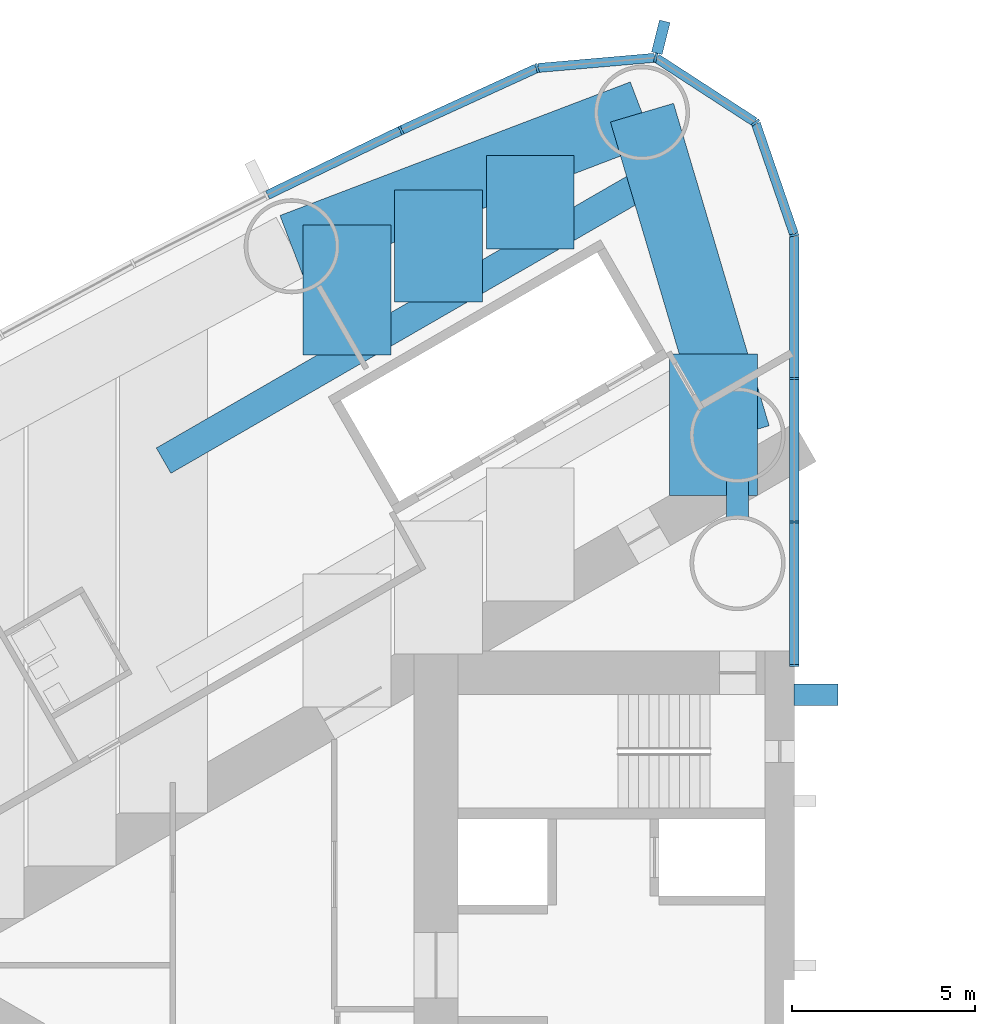
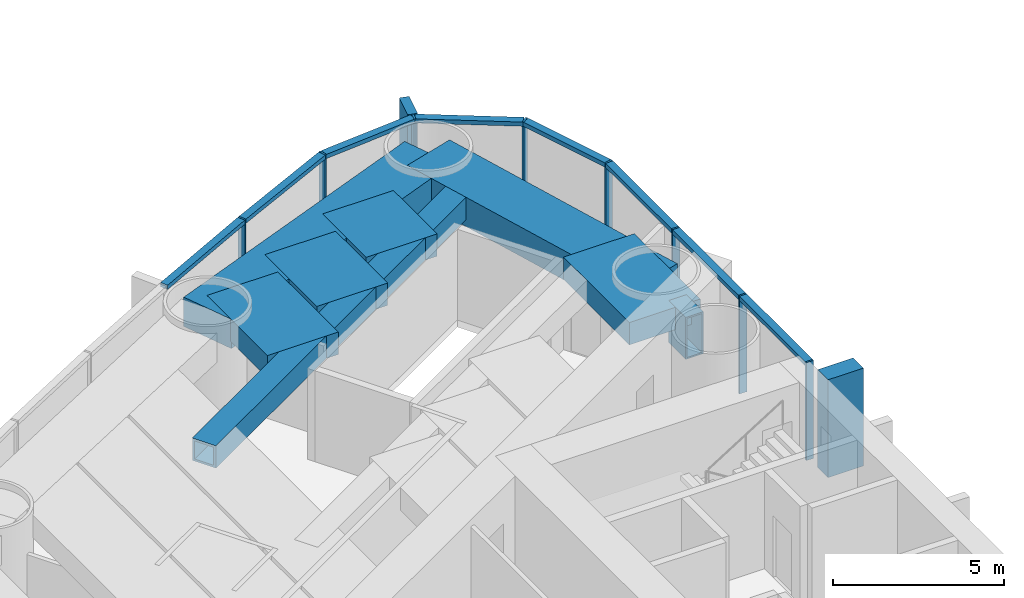
# One storey, part 5 of 18: 18 members, 8 beams, 1 element without a shape of its own.
"""IFC4 building model written with IfcOpenShell, lengths in metres."""

from ifc_helpers import new_model, si_unit, direction, frame, origin, origin_2d, place, context, subcontext, project, spatial, rectangle, hollow_rectangle, extrude, material, material_profile, profile_set, type_object, element, aggregate, save


model = new_model("IFC4")

# Units and contexts
model_context = context("Model", 3, precision=1e-05, world=origin(), true_north=direction((0.0, 1.0)))
body_context = subcontext(model_context, "Body", "Model", "MODEL_VIEW")
ifc_project = project(units=[si_unit("LENGTHUNIT", "METRE"), si_unit("AREAUNIT", "SQUARE_METRE"), si_unit("VOLUMEUNIT", "CUBIC_METRE"), si_unit("PLANEANGLEUNIT", "RADIAN"), si_unit("MASSUNIT", "GRAM", prefix="KILO")], contexts=[model_context])

# Site, building, storey
site_placement = place(None, origin())
site = spatial("IfcSite", under=ifc_project, at=site_placement, CompositionType="ELEMENT")
building_placement = place(site_placement, origin())
building = spatial("IfcBuilding", under=site, at=building_placement, Name="Lancet Gate Hotel", CompositionType="ELEMENT")
storey_placement = place(building_placement, frame((0.0, 0.0, 97.60009765625)))
storey = spatial("IfcBuildingStorey", under=building, at=storey_placement, Name="L25", CompositionType="ELEMENT", Elevation=97.60009765625)

# Curtain wall, members
ifc_material_1 = material(Name="Aluminium curtain wall", Category="aluminium")
curtain_wall_type = type_object("IfcCurtainWallType", Name="Tower unitised curtain wall", PredefinedType="USERDEFINED", material=ifc_material_1)
curtain_wall_placement = place(storey_placement, origin())
curtain_wall = element("IfcCurtainWall", 1, at=curtain_wall_placement, inside=storey, type_object=curtain_wall_type, Name="T1 L25 curtain wall 1", ObjectType="UNITISED CURTAIN WALL", PredefinedType="USERDEFINED")
ifc_material_2 = material(Name="Aluminium mullion", Category="aluminium")
ifc_material_profile_1 = material_profile(ifc_material_2, rectangle(XDim=0.06494140625, YDim=0.25, at=origin_2d()), Name="MULLION 65x250")
ifc_profile_set_1 = profile_set([ifc_material_profile_1], Name="Aluminium mullion")
member_type_1 = type_object("IfcMemberType", Name="Aluminium mullion 65x250", PredefinedType="MULLION", material=ifc_profile_set_1)
member_1_placement = place(storey_placement, frame((-27.5, 8.199951171875, 0.0), z_axis=(0.0, 0.0, 1.0), x_axis=(0.0, 1.0, 0.0)))
member_1 = element("IfcMember", 2, at=member_1_placement, type_object=member_type_1, Name="T1 L25 curtain wall 1 mullion 1", PredefinedType="MULLION", context=body_context, shape_type="SweptSolid", body=[
    extrude(rectangle(XDim=0.06494140625, YDim=0.25, at=origin_2d()), origin(), (0.0, 0.0, 1.0), 3.5),
])
member_2_placement = place(storey_placement, frame((-27.5, 12.123779296875, 0.0), z_axis=(0.0, 0.0, 1.0), x_axis=(0.0, 1.0, 0.0)))
member_2 = element("IfcMember", 3, at=member_2_placement, type_object=member_type_1, Name="T1 L25 curtain wall 1 mullion 2", PredefinedType="MULLION", context=body_context, shape_type="SweptSolid", body=[
    extrude(rectangle(XDim=0.06494140625, YDim=0.25, at=origin_2d()), origin(), (0.0, 0.0, 1.0), 3.5),
])
member_3_placement = place(storey_placement, frame((-27.5, 16.04736328125, 0.0), z_axis=(0.0, 0.0, 1.0), x_axis=(0.0, 1.0, 0.0)))
member_3 = element("IfcMember", 4, at=member_3_placement, type_object=member_type_1, Name="T1 L25 curtain wall 1 mullion 3", PredefinedType="MULLION", context=body_context, shape_type="SweptSolid", body=[
    extrude(rectangle(XDim=0.06494140625, YDim=0.25, at=origin_2d()), origin(), (0.0, 0.0, 1.0), 3.5),
])
member_4_placement = place(storey_placement, frame((-27.5, 19.97119140625, 0.0), z_axis=(0.0, 0.0, 1.0), x_axis=(-0.149634446211, 0.988741388082, 0.0)))
member_4 = element("IfcMember", 5, at=member_4_placement, type_object=member_type_1, Name="T1 L25 curtain wall 1 mullion 4", PredefinedType="MULLION", context=body_context, shape_type="SweptSolid", body=[
    extrude(rectangle(XDim=0.06494140625, YDim=0.25, at=origin_2d()), origin(), (0.0, 0.0, 1.0), 3.5),
])
member_5_placement = place(storey_placement, frame((-28.5595703125, 23.049072265625, 0.0), z_axis=(0.0, 0.0, 1.0), x_axis=(-0.615574240878, 0.788078900851, 0.0)))
member_5 = element("IfcMember", 6, at=member_5_placement, type_object=member_type_1, Name="T1 L25 curtain wall 1 mullion 5", PredefinedType="MULLION", context=body_context, shape_type="SweptSolid", body=[
    extrude(rectangle(XDim=0.06494140625, YDim=0.25, at=origin_2d()), origin(), (0.0, 0.0, 1.0), 3.5),
])
member_6_placement = place(storey_placement, frame((-31.289306640625, 24.822265625, 0.0), z_axis=(0.0, 0.0, 1.0), x_axis=(-0.970242142288, 0.242136707934, 0.0)))
member_6 = element("IfcMember", 7, at=member_6_placement, type_object=member_type_1, Name="T1 L25 curtain wall 1 mullion 6", PredefinedType="MULLION", context=body_context, shape_type="SweptSolid", body=[
    extrude(rectangle(XDim=0.06494140625, YDim=0.25, at=origin_2d()), origin(), (0.0, 0.0, 1.0), 3.5),
])
member_7_placement = place(storey_placement, frame((-34.5322265625, 24.53955078125, 0.0), z_axis=(0.0, 0.0, 1.0), x_axis=(-0.961653318232, -0.27426792655, 0.0)))
member_7 = element("IfcMember", 8, at=member_7_placement, type_object=member_type_1, Name="T1 L25 curtain wall 1 mullion 7", PredefinedType="MULLION", context=body_context, shape_type="SweptSolid", body=[
    extrude(rectangle(XDim=0.06494140625, YDim=0.25, at=origin_2d()), origin(), (0.0, 0.0, 1.0), 3.5),
])
member_8_placement = place(storey_placement, frame((-38.25244140625, 22.83642578125, 0.0), z_axis=(0.0, 0.0, 1.0), x_axis=(-0.904719609771, -0.426007544178, 0.0)))
member_8 = element("IfcMember", 9, at=member_8_placement, type_object=member_type_1, Name="T1 L25 curtain wall 1 mullion 8", PredefinedType="MULLION", context=body_context, shape_type="SweptSolid", body=[
    extrude(rectangle(XDim=0.06494140625, YDim=0.25, at=origin_2d()), origin(), (0.0, 0.0, 1.0), 3.5),
])
ifc_material_3 = material(Name="Aluminium transom", Category="aluminium")
ifc_material_profile_2 = material_profile(ifc_material_3, rectangle(XDim=0.25, YDim=0.14990234375, at=origin_2d()), Name="TRANSOM 250x150")
ifc_profile_set_2 = profile_set([ifc_material_profile_2], Name="Aluminium transom")
member_type_2 = type_object("IfcMemberType", Name="Aluminium transom 250x150", PredefinedType="USERDEFINED", material=ifc_profile_set_2)
member_9_placement = place(storey_placement, frame((-27.5, 8.232421875, 3.4248046875), z_axis=(0.0, 1.0, 0.0), x_axis=(-1.0, 0.0, 0.0)))
member_9 = element("IfcMember", 10, at=member_9_placement, type_object=member_type_2, Name="T1 L25 curtain wall 1 transom 1", ObjectType="TRANSOM", PredefinedType="USERDEFINED", context=body_context, shape_type="SweptSolid", body=[
    extrude(rectangle(XDim=0.25, YDim=0.14990234375, at=origin_2d()), origin(), (0.0, 0.0, 1.0), 3.85888671875),
])
member_10_placement = place(storey_placement, frame((-27.5, 12.15625, 3.4248046875), z_axis=(0.0, 1.0, 0.0), x_axis=(-1.0, 0.0, 0.0)))
member_10 = element("IfcMember", 11, at=member_10_placement, type_object=member_type_2, Name="T1 L25 curtain wall 1 transom 2", ObjectType="TRANSOM", PredefinedType="USERDEFINED", context=body_context, shape_type="SweptSolid", body=[
    extrude(rectangle(XDim=0.25, YDim=0.14990234375, at=origin_2d()), origin(), (0.0, 0.0, 1.0), 3.858642578125),
])
member_11_placement = place(storey_placement, frame((-27.5, 16.079833984375, 3.4248046875), z_axis=(0.0, 1.0, 0.0), x_axis=(-1.0, 0.0, 0.0)))
member_11 = element("IfcMember", 12, at=member_11_placement, type_object=member_type_2, Name="T1 L25 curtain wall 1 transom 3", ObjectType="TRANSOM", PredefinedType="USERDEFINED", context=body_context, shape_type="SweptSolid", body=[
    extrude(rectangle(XDim=0.25, YDim=0.14990234375, at=origin_2d()), origin(), (0.0, 0.0, 1.0), 3.858642578125),
])
member_12_placement = place(storey_placement, frame((-27.510498046875, 20.001708984375, 3.4248046875), z_axis=(-0.32553312754, 0.945530635609, 0.0), x_axis=(-0.945530635609, -0.32553312754, 0.0)))
member_12 = element("IfcMember", 13, at=member_12_placement, type_object=member_type_2, Name="T1 L25 curtain wall 1 transom 4", ObjectType="TRANSOM", PredefinedType="USERDEFINED", context=body_context, shape_type="SweptSolid", body=[
    extrude(rectangle(XDim=0.25, YDim=0.14990234375, at=origin_2d()), origin(), (0.0, 0.0, 1.0), 3.1904296875),
])
member_13_placement = place(storey_placement, frame((-28.5869140625, 23.066650390625, 3.4248046875), z_axis=(-0.838550259452, 0.544824249068, 0.0), x_axis=(-0.544824249068, -0.838550259452, 0.0)))
member_13 = element("IfcMember", 14, at=member_13_placement, type_object=member_type_2, Name="T1 L25 curtain wall 1 transom 5", ObjectType="TRANSOM", PredefinedType="USERDEFINED", context=body_context, shape_type="SweptSolid", body=[
    extrude(rectangle(XDim=0.25, YDim=0.14990234375, at=origin_2d()), origin(), (0.0, 0.0, 1.0), 3.190185546875),
])
member_14_placement = place(storey_placement, frame((-31.32177734375, 24.819580078125, 3.4248046875), z_axis=(-0.996213545522, -0.086940046686, 0.0), x_axis=(0.086940046686, -0.996213545522, 0.0)))
member_14 = element("IfcMember", 15, at=member_14_placement, type_object=member_type_2, Name="T1 L25 curtain wall 1 transom 6", ObjectType="TRANSOM", PredefinedType="USERDEFINED", context=body_context, shape_type="SweptSolid", body=[
    extrude(rectangle(XDim=0.25, YDim=0.14990234375, at=origin_2d()), origin(), (0.0, 0.0, 1.0), 3.18994140625),
])
member_15_placement = place(storey_placement, frame((-34.561767578125, 24.52587890625, 3.4248046875), z_axis=(-0.909252284196, -0.416245460857, 0.0), x_axis=(0.416245460857, -0.909252284196, 0.0)))
member_15 = element("IfcMember", 16, at=member_15_placement, type_object=member_type_2, Name="T1 L25 curtain wall 1 transom 7", ObjectType="TRANSOM", PredefinedType="USERDEFINED", context=body_context, shape_type="SweptSolid", body=[
    extrude(rectangle(XDim=0.25, YDim=0.14990234375, at=origin_2d()), origin(), (0.0, 0.0, 1.0), 4.026611328125),
])
member_16_placement = place(storey_placement, frame((-38.28173828125, 22.822265625, 3.4248046875), z_axis=(-0.900065677074, -0.435754262117, 0.0), x_axis=(0.435754262117, -0.900065677074, 0.0)))
member_16 = element("IfcMember", 17, at=member_16_placement, type_object=member_type_2, Name="T1 L25 curtain wall 1 transom 8", ObjectType="TRANSOM", PredefinedType="USERDEFINED", context=body_context, shape_type="SweptSolid", body=[
    extrude(rectangle(XDim=0.25, YDim=0.14990234375, at=origin_2d()), origin(), (0.0, 0.0, 1.0), 4.026611328125),
])

# Beams
ifc_material_4 = material(Name="Concrete C50/60", Category="concrete")
ifc_material_profile_3 = material_profile(ifc_material_4, rectangle(XDim=1.800048828125, YDim=1.050048828125, at=origin_2d()), Name="RC 1800x1050")
ifc_profile_set_3 = profile_set([ifc_material_profile_3], Name="Concrete C50/60")
beam_type_1 = type_object("IfcBeamType", Name="Edge beam RC 1800x1050", PredefinedType="SPANDREL", material=ifc_profile_set_3)
beam_1_placement = place(storey_placement, frame((-31.66455078125, 23.318359375, 2.724853515625), z_axis=(-0.934392266213, -0.356245832033, 0.0), x_axis=(0.356245832033, -0.934392266213, 0.0)))
element("IfcBeam", 18, at=beam_1_placement, inside=storey, type_object=beam_type_1, Name="T1 edge beam EB1 L25", PredefinedType="SPANDREL", context=body_context, shape_type="SweptSolid", body=[
    extrude(rectangle(XDim=1.800048828125, YDim=1.050048828125, at=origin_2d()), origin(), (0.0, 0.0, 1.0), 10.2529296875),
])
beam_2_placement = place(storey_placement, frame((-31.66455078125, 23.318359375, 2.724853515625), z_axis=(0.284253711522, -0.958749095168, 0.0), x_axis=(0.958749095168, 0.284253711522, 0.0)))
element("IfcBeam", 19, at=beam_2_placement, inside=storey, type_object=beam_type_1, Name="T1 edge beam EB1 L25", PredefinedType="SPANDREL", context=body_context, shape_type="SweptSolid", body=[
    extrude(rectangle(XDim=1.800048828125, YDim=1.050048828125, at=origin_2d()), origin(), (0.0, 0.0, 1.0), 9.19775390625),
])

# Member
ifc_material_5 = material(Name="Concrete C60/75", Category="concrete")
ifc_material_profile_4 = material_profile(ifc_material_5, rectangle(XDim=0.60009765625, YDim=1.199951171875, at=origin_2d()), Name="FIN 600x1200")
ifc_profile_set_4 = profile_set([ifc_material_profile_4], Name="Concrete C60/75")
member_type_3 = type_object("IfcMemberType", Name="Exposed concrete buttress pilaster 600x1200", PredefinedType="USERDEFINED", material=ifc_profile_set_4)
member_17_placement = place(storey_placement, frame((-26.909912109375, 7.39990234375, 0.0), z_axis=(0.0, 0.0, 1.0), x_axis=(0.0, 1.0, 0.0)))
element("IfcMember", 20, at=member_17_placement, inside=storey, type_object=member_type_3, Name="T1 buttress pilaster S L25", ObjectType="FIN", PredefinedType="USERDEFINED", context=body_context, shape_type="SweptSolid", body=[
    extrude(rectangle(XDim=0.60009765625, YDim=1.199951171875, at=origin_2d()), origin(), (0.0, 0.0, 1.0), 3.5),
])

ifc_material_6 = material(Name="Precast concrete C50/60", Category="concrete")
ifc_material_profile_5 = material_profile(ifc_material_6, rectangle(XDim=0.300048828125, YDim=0.89990234375, at=origin_2d()), Name="FIN 300x900")
ifc_profile_set_5 = profile_set([ifc_material_profile_5], Name="Precast concrete C50/60")
member_type_4 = type_object("IfcMemberType", Name="Exposed concrete fin 300x900", PredefinedType="USERDEFINED", material=ifc_profile_set_5)
member_18_placement = place(storey_placement, frame((-31.150146484375, 25.380126953125, 0.0), z_axis=(0.0, 0.0, 1.0), x_axis=(-0.970242142288, 0.242136707934, 0.0)))
member_18 = element("IfcMember", 21, at=member_18_placement, type_object=member_type_4, Name="T1 L25 curtain wall 1 fin 6", ObjectType="FIN", PredefinedType="USERDEFINED", context=body_context, shape_type="SweptSolid", body=[
    extrude(rectangle(XDim=0.300048828125, YDim=0.89990234375, at=origin_2d()), origin(), (0.0, 0.0, 1.0), 3.5),
])

aggregate(curtain_wall, [member_1, member_2, member_3, member_4, member_5, member_6, member_18, member_7, member_8, member_9, member_10, member_11, member_12, member_13, member_14, member_15, member_16])

# Beams
ifc_material_7 = material(Name="Concrete C50/60", Category="concrete")
ifc_material_profile_6 = material_profile(ifc_material_7, rectangle(XDim=2.39990234375, YDim=0.800048828125, at=origin_2d()), Name="RC 2400x800")
ifc_profile_set_6 = profile_set([ifc_material_profile_6], Name="Concrete C50/60")
beam_type_2 = type_object("IfcBeamType", Name="Floor beam RC 2400x800", PredefinedType="BEAM", material=ifc_profile_set_6)
beam_3_placement = place(storey_placement, frame((-29.706787109375, 16.71533203125, 2.849853515625), z_axis=(0.0, -1.0, 0.0), x_axis=(1.0, 0.0, 0.0)))
element("IfcBeam", 22, at=beam_3_placement, inside=storey, type_object=beam_type_2, Name="T1 floor beam F02S L25", PredefinedType="BEAM", context=body_context, shape_type="SweptSolid", body=[
    extrude(rectangle(XDim=2.39990234375, YDim=0.800048828125, at=origin_2d()), origin(), (0.0, 0.0, 1.0), 3.86279296875),
])
beam_4_placement = place(storey_placement, frame((-34.720458984375, 22.1533203125, 2.849853515625), z_axis=(0.0, -1.0, 0.0), x_axis=(1.0, 0.0, 0.0)))
element("IfcBeam", 23, at=beam_4_placement, inside=storey, type_object=beam_type_2, Name="T1 floor beam F04SA L25", PredefinedType="BEAM", context=body_context, shape_type="SweptSolid", body=[
    extrude(rectangle(XDim=2.39990234375, YDim=0.800048828125, at=origin_2d()), origin(), (0.0, 0.0, 1.0), 2.561767578125),
])
beam_5_placement = place(storey_placement, frame((-37.227294921875, 21.197509765625, 2.849853515625), z_axis=(0.0, -1.0, 0.0), x_axis=(1.0, 0.0, 0.0)))
element("IfcBeam", 24, at=beam_5_placement, inside=storey, type_object=beam_type_2, Name="T1 floor beam F05SA L25", PredefinedType="BEAM", context=body_context, shape_type="SweptSolid", body=[
    extrude(rectangle(XDim=2.39990234375, YDim=0.800048828125, at=origin_2d()), origin(), (0.0, 0.0, 1.0), 3.053466796875),
])
beam_6_placement = place(storey_placement, frame((-39.734130859375, 20.24169921875, 2.849853515625), z_axis=(0.0, -1.0, 0.0), x_axis=(1.0, 0.0, 0.0)))
element("IfcBeam", 25, at=beam_6_placement, inside=storey, type_object=beam_type_2, Name="T1 floor beam F07SA L25", PredefinedType="BEAM", context=body_context, shape_type="SweptSolid", body=[
    extrude(rectangle(XDim=2.39990234375, YDim=0.800048828125, at=origin_2d()), origin(), (0.0, 0.0, 1.0), 3.545166015625),
])
ifc_material_8 = material(Name="Steel S460QL", Category="steel")
ifc_material_profile_7 = material_profile(ifc_material_8, hollow_rectangle(XDim=0.60009765625, YDim=1.5, WallThickness=0.050048828125, at=origin_2d()), Name="BOX 1500x600x50")
ifc_profile_set_7 = profile_set([ifc_material_profile_7], Name="Steel S460QL")
beam_type_3 = type_object("IfcBeamType", Name="Inner-face link beam BOX 1500x600x50", PredefinedType="BEAM", material=ifc_profile_set_7)
beam_7_placement = place(storey_placement, frame((-29.050048828125, 13.25, 2.5), z_axis=(0.0, -1.0, 0.0), x_axis=(1.0, 0.0, 0.0)))
element("IfcBeam", 26, at=beam_7_placement, inside=storey, type_object=beam_type_3, Name="T1 inner-face link beam LK1 L25", PredefinedType="BEAM", context=body_context, shape_type="SweptSolid", body=[
    extrude(hollow_rectangle(XDim=0.60009765625, YDim=1.5, WallThickness=0.050048828125, at=origin_2d()), origin(), (0.0, 0.0, 1.0), 1.0),
])
ifc_material_9 = material(Name="Steel S460QL", Category="steel")
ifc_material_profile_8 = material_profile(ifc_material_9, hollow_rectangle(XDim=0.800048828125, YDim=0.800048828125, WallThickness=0.080078125, at=origin_2d()), Name="BOX 800x800x80")
ifc_profile_set_8 = profile_set([ifc_material_profile_8], Name="Steel S460QL")
beam_type_4 = type_object("IfcBeamType", Name="Trimmer beam BOX 800x800x80", PredefinedType="BEAM", material=ifc_profile_set_8)
beam_8_placement = place(storey_placement, frame((-31.16796875, 21.642822265625, 2.849853515625), z_axis=(-0.866004868127, -0.500035567115, 0.0), x_axis=(0.500035567115, -0.866004868127, 0.0)))
element("IfcBeam", 27, at=beam_8_placement, inside=storey, type_object=beam_type_4, Name="T1 trimmer beam TR04S L25", PredefinedType="BEAM", context=body_context, shape_type="SweptSolid", body=[
    extrude(hollow_rectangle(XDim=0.800048828125, YDim=0.800048828125, WallThickness=0.080078125, at=origin_2d()), origin(), (0.0, 0.0, 1.0), 15.680908203125),
])

save(model, "model.ifc")
